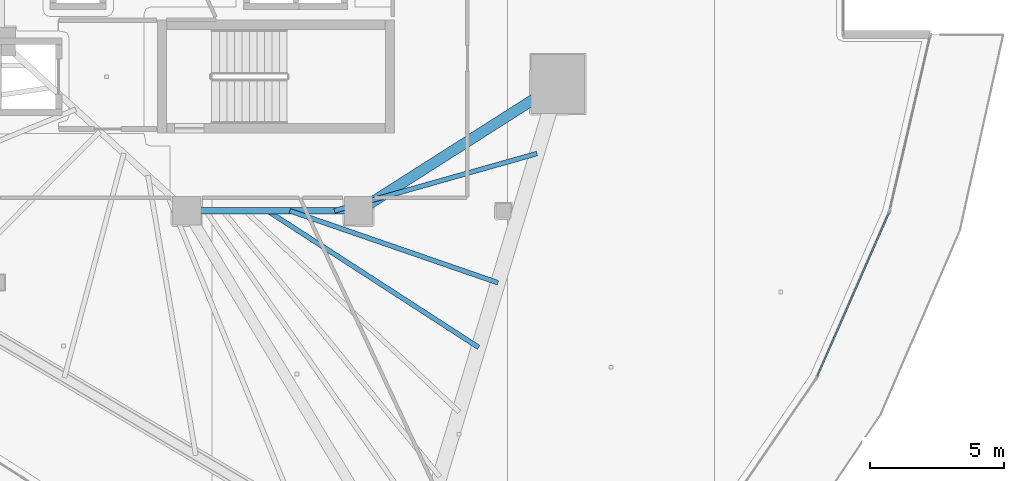
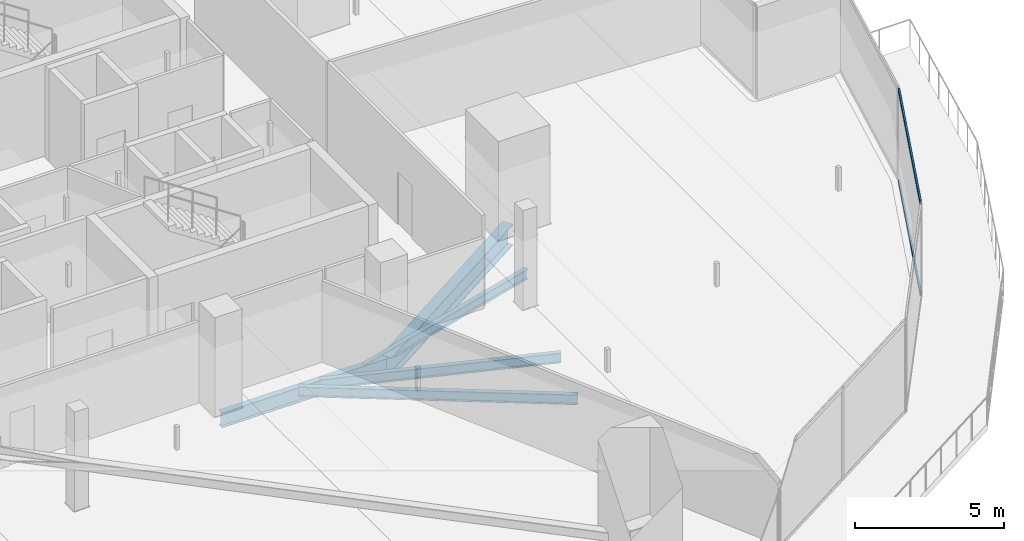
# One storey, part 10 of 40: 5 beams, 2 members, 1 element without a shape of its own.
"""IFC4 building model written with IfcOpenShell, lengths in metres."""

from ifc_helpers import new_model, si_unit, direction, frame, origin, origin_2d, place, context, subcontext, project, spatial, hollow_rectangle, i_section, extrude, material, layer, layer_set, material_profile, profile_set, type_object, element, aggregate, save


model = new_model("IFC4")

# Units and contexts
model_context = context("Model", 3, precision=1e-05, world=origin(), true_north=direction((0.0, 1.0)))
body_context = subcontext(model_context, "Body", "Model", "MODEL_VIEW")
ifc_project = project(units=[si_unit("LENGTHUNIT", "METRE"), si_unit("AREAUNIT", "SQUARE_METRE"), si_unit("VOLUMEUNIT", "CUBIC_METRE"), si_unit("PLANEANGLEUNIT", "RADIAN"), si_unit("MASSUNIT", "GRAM", prefix="KILO")], contexts=[model_context])

# Site, building, storey
site_placement = place(None, origin())
site = spatial("IfcSite", under=ifc_project, at=site_placement, CompositionType="ELEMENT")
building_placement = place(site_placement, origin())
building = spatial("IfcBuilding", under=site, at=building_placement, Name="Qorvath Tower", CompositionType="ELEMENT")
storey_placement = place(building_placement, frame((0.0, 0.0, 138.14990234375)))
storey = spatial("IfcBuildingStorey", under=building, at=storey_placement, Name="L31", CompositionType="ELEMENT", Elevation=138.14990234375)

# Beams
ifc_material_1 = material(Name="Steel ASTM A992 Grade 50", Category="steel")
ifc_material_profile_1 = material_profile(ifc_material_1, i_section(OverallWidth=0.39892578125, OverallDepth=0.85498046875, WebThickness=0.018310546875, FlangeThickness=0.029296875, FilletRadius=0.02001953125, at=origin_2d()), Name="W33x201")
ifc_profile_set_1 = profile_set([ifc_material_profile_1], Name="Steel ASTM A992 Grade 50")
beam_type_1 = type_object("IfcBeamType", Name="BM-FG2", PredefinedType="BEAM", material=ifc_profile_set_1)
beam_1_placement = place(storey_placement, frame((-17.199951171875, -11.449951171875, -0.697509765625), z_axis=(0.843634090834, 0.536918542037, 0.0), x_axis=(-0.536918542037, 0.843634090834, 0.0)))
element("IfcBeam", 1, at=beam_1_placement, inside=storey, type_object=beam_type_1, Name="Radial Floor Girder CC3-MC4 L31", PredefinedType="BEAM", context=body_context, shape_type="SweptSolid", body=[
    extrude(i_section(OverallWidth=0.39892578125, OverallDepth=0.85498046875, WebThickness=0.018310546875, FlangeThickness=0.029296875, FilletRadius=0.02001953125, at=origin_2d()), origin(), (0.0, 0.0, 1.0), 8.806884765625),
])
ifc_material_2 = material(Name="Steel ASTM A992 Grade 50", Category="steel")
ifc_material_profile_2 = material_profile(ifc_material_2, i_section(OverallWidth=0.22998046875, OverallDepth=0.616943359375, WebThickness=0.01318359375, FlangeThickness=0.022216796875, FilletRadius=0.014892578125, at=origin_2d()), Name="W24x94")
ifc_profile_set_2 = profile_set([ifc_material_profile_2], Name="Steel ASTM A992 Grade 50")
beam_type_2 = type_object("IfcBeamType", Name="BM-FG6", PredefinedType="BEAM", material=ifc_profile_set_2)
beam_2_placement = place(storey_placement, frame((-17.199951171875, -11.449951171875, -0.57861328125), z_axis=(-1.0, 0.0, 0.0), x_axis=(0.0, -1.0, 0.0)))
element("IfcBeam", 2, at=beam_2_placement, inside=storey, type_object=beam_type_2, Name="Core Ring Girder CC3-CC4 L31", PredefinedType="BEAM", context=body_context, shape_type="SweptSolid", body=[
    extrude(i_section(OverallWidth=0.22998046875, OverallDepth=0.616943359375, WebThickness=0.01318359375, FlangeThickness=0.022216796875, FilletRadius=0.014892578125, at=origin_2d()), origin(), (0.0, 0.0, 1.0), 6.400146484375),
])
ifc_material_3 = material(Name="Steel ASTM A992 Grade 50", Category="steel")
ifc_material_profile_3 = material_profile(ifc_material_3, i_section(OverallWidth=0.177978515625, OverallDepth=0.406005859375, WebThickness=0.0078125, FlangeThickness=0.0126953125, FilletRadius=0.010986328125, at=origin_2d()), Name="W16x40")
ifc_profile_set_3 = profile_set([ifc_material_profile_3], Name="Steel ASTM A992 Grade 50")
beam_type_3 = type_object("IfcBeamType", Name="BM-FJ3", PredefinedType="JOIST", material=ifc_profile_set_3)
beam_3_placement = place(storey_placement, frame((-18.095947265625, -11.449951171875, -0.472900390625), z_axis=(0.962222206221, 0.272265359264, 0.0), x_axis=(-0.272265359264, 0.962222206221, 0.0)))
element("IfcBeam", 3, at=beam_3_placement, inside=storey, type_object=beam_type_3, Name="Composite Floor Joist SE1 L31", PredefinedType="JOIST", context=body_context, shape_type="SweptSolid", body=[
    extrude(i_section(OverallWidth=0.177978515625, OverallDepth=0.406005859375, WebThickness=0.0078125, FlangeThickness=0.0126953125, FilletRadius=0.010986328125, at=origin_2d()), origin(), (0.0, 0.0, 1.0), 7.841552734375),
])
beam_4_placement = place(storey_placement, frame((-19.760009765625, -11.449951171875, -0.472900390625), z_axis=(0.945168345309, -0.326583525342, 0.0), x_axis=(0.326583525342, 0.945168345309, 0.0)))
element("IfcBeam", 4, at=beam_4_placement, inside=storey, type_object=beam_type_3, Name="Composite Floor Joist SE3 L31", PredefinedType="JOIST", context=body_context, shape_type="SweptSolid", body=[
    extrude(i_section(OverallWidth=0.177978515625, OverallDepth=0.406005859375, WebThickness=0.0078125, FlangeThickness=0.0126953125, FilletRadius=0.010986328125, at=origin_2d()), origin(), (0.0, 0.0, 1.0), 8.21044921875),
])
beam_5_placement = place(storey_placement, frame((-20.592041015625, -11.449951171875, -0.472900390625), z_axis=(0.839630966809, -0.543157288062, 0.0), x_axis=(0.543157288062, 0.839630966809, 0.0)))
element("IfcBeam", 5, at=beam_5_placement, inside=storey, type_object=beam_type_3, Name="Composite Floor Joist SE4 L31", PredefinedType="JOIST", context=body_context, shape_type="SweptSolid", body=[
    extrude(i_section(OverallWidth=0.177978515625, OverallDepth=0.406005859375, WebThickness=0.0078125, FlangeThickness=0.0126953125, FilletRadius=0.010986328125, at=origin_2d()), origin(), (0.0, 0.0, 1.0), 9.370361328125),
])

# Curtain wall, members
ifc_material_4 = material(Name="Anodised aluminium and triple low-E glass", Category="aluminium")
ifc_layer = layer(ifc_material_4, 0.179931640625)
ifc_layer_set = layer_set([ifc_layer], Name="CW-SYS-3")
curtain_wall_type = type_object("IfcCurtainWallType", Name="CW-SYS-3", PredefinedType="NOTDEFINED", material=ifc_layer_set)
curtain_wall_placement = place(storey_placement, origin())
curtain_wall = element("IfcCurtainWall", 6, at=curtain_wall_placement, inside=storey, type_object=curtain_wall_type, Name="Curtain Wall CW-3 CW-T-L31-6.1", PredefinedType="NOTDEFINED")
ifc_material_5 = material(Name="Anodised aluminium 6063-T6", Category="aluminium")
ifc_material_profile_4 = material_profile(ifc_material_5, hollow_rectangle(XDim=0.06494140625, YDim=0.159912109375, WallThickness=0.00341796875, InnerFilletRadius=0.00341796875, OuterFilletRadius=0.007080078125, at=origin_2d()), Name="CWT 160x65")
ifc_profile_set_4 = profile_set([ifc_material_profile_4], Name="Anodised aluminium 6063-T6")
member_type = type_object("IfcMemberType", Name="CWT-160", PredefinedType="USERDEFINED", material=ifc_profile_set_4)
member_1_placement = place(storey_placement, frame((-0.101806640625, -17.61572265625, 0.032470703125), z_axis=(0.401787018537, 0.91573314439, 0.0), x_axis=(-0.91573314439, 0.401787018537, 0.0)))
member_1 = element("IfcMember", 7, at=member_1_placement, type_object=member_type, Name="CW-3 transom 1.1", ObjectType="TRANSOM", PredefinedType="USERDEFINED", context=body_context, shape_type="SweptSolid", body=[
    extrude(hollow_rectangle(XDim=0.06494140625, YDim=0.159912109375, WallThickness=0.00341796875, InnerFilletRadius=0.00341796875, OuterFilletRadius=0.007080078125, at=origin_2d()), origin(), (0.0, 0.0, 1.0), 6.63916015625),
])
member_2_placement = place(storey_placement, frame((-0.101806640625, -17.61572265625, 3.74755859375), z_axis=(0.401787018537, 0.91573314439, 0.0), x_axis=(-0.91573314439, 0.401787018537, 0.0)))
member_2 = element("IfcMember", 8, at=member_2_placement, type_object=member_type, Name="CW-3 transom 1.2", ObjectType="TRANSOM", PredefinedType="USERDEFINED", context=body_context, shape_type="SweptSolid", body=[
    extrude(hollow_rectangle(XDim=0.06494140625, YDim=0.159912109375, WallThickness=0.00341796875, InnerFilletRadius=0.00341796875, OuterFilletRadius=0.007080078125, at=origin_2d()), origin(), (0.0, 0.0, 1.0), 6.63916015625),
])
aggregate(curtain_wall, [member_1, member_2])

save(model, "model.ifc")
